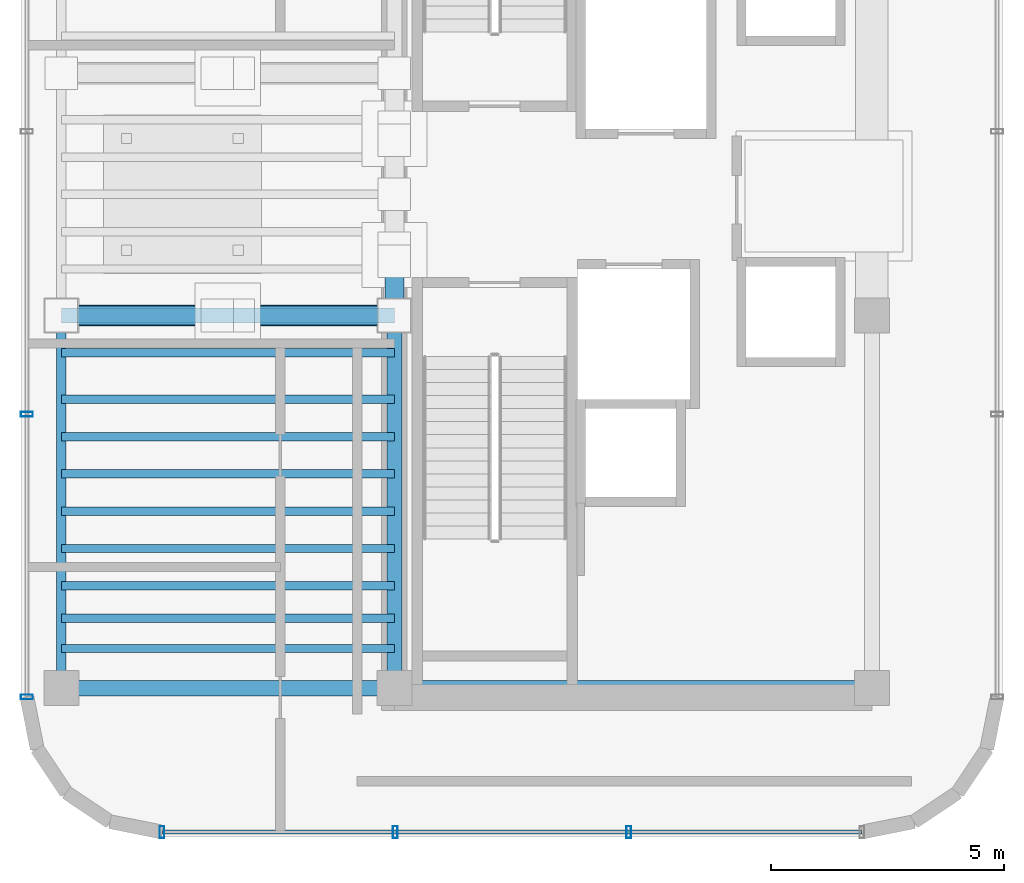
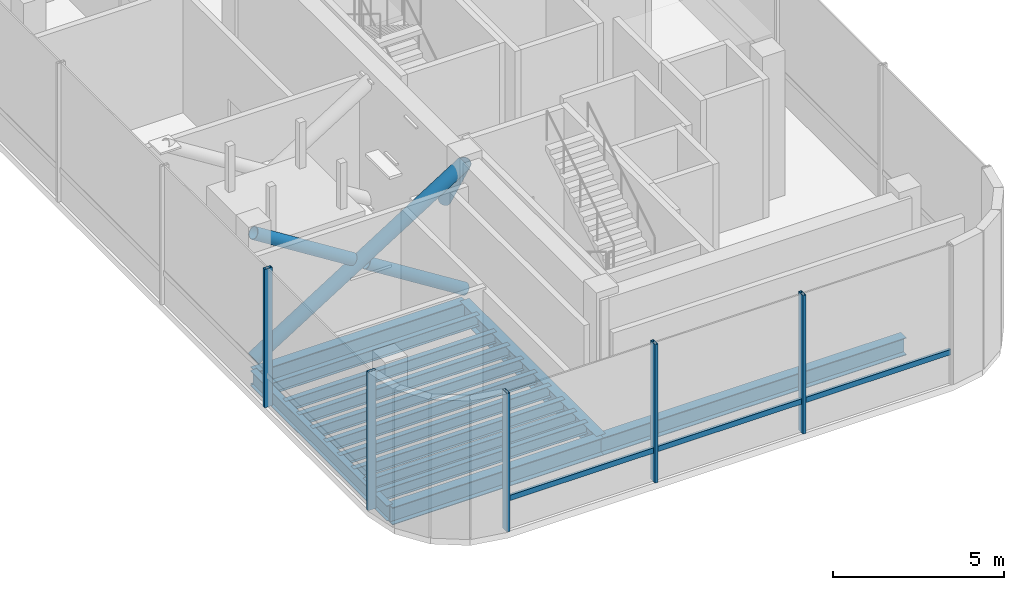
# One storey, part 2 of 13: 14 beams, 10 members, 2 elements without a shape of their own.
"""IFC4 building model written with IfcOpenShell, lengths in metres."""

from ifc_helpers import new_model, si_unit, direction, frame, origin, origin_2d, place, context, subcontext, project, spatial, hollow_rectangle, hollow_circle, i_section, extrude, source, transform, mapped, material, material_profile, profile_set, type_object, element, aggregate, save


model = new_model("IFC4")

# Units and contexts
model_context = context("Model", 3, precision=1e-05, world=origin(), true_north=direction((0.0, 1.0)))
body_context = subcontext(model_context, "Body", "Model", "MODEL_VIEW")
ifc_project = project(units=[si_unit("LENGTHUNIT", "METRE"), si_unit("AREAUNIT", "SQUARE_METRE"), si_unit("VOLUMEUNIT", "CUBIC_METRE"), si_unit("PLANEANGLEUNIT", "RADIAN"), si_unit("MASSUNIT", "GRAM", prefix="KILO")], contexts=[model_context])

# Site, building, storey
site_placement = place(None, origin())
site = spatial("IfcSite", under=ifc_project, at=site_placement, CompositionType="ELEMENT")
building_placement = place(site_placement, origin())
building = spatial("IfcBuilding", under=site, at=building_placement, Name="Valdorenza Pilgrim Sanctuary Tower", CompositionType="ELEMENT")
storey_placement = place(building_placement, frame((0.0, 0.0, 294.199951171875)))
storey = spatial("IfcBuildingStorey", under=building, at=storey_placement, Name="L77", CompositionType="ELEMENT", Elevation=294.199951171875)

# Beams
ifc_material_1 = material(Name="Steel ASTM A992 Grade 50", Category="steel")
ifc_material_profile_1 = material_profile(ifc_material_1, i_section(OverallWidth=0.323974609375, OverallDepth=0.611083984375, WebThickness=0.0126953125, FlangeThickness=0.01904296875, at=origin_2d()), Name="W24X104")
ifc_profile_set_1 = profile_set([ifc_material_profile_1], Name="Steel ASTM A992 Grade 50")
beam_type_1 = type_object("IfcBeamType", Name="STR-BM-GRD-W24B", PredefinedType="BEAM", material=ifc_profile_set_1)
shared_shape_1 = source(origin(), body_context, "Body", "SweptSolid", [
    extrude(i_section(OverallWidth=0.323974609375, OverallDepth=0.611083984375, WebThickness=0.0126953125, FlangeThickness=0.01904296875, at=origin_2d()), origin(), (0.0, 0.0, 1.0), 8.0),
])
beam_1_placement = place(storey_placement, frame((-22.64990234375, -10.60009765625, -0.54541015625), z_axis=(0.0, 1.0, 0.0), x_axis=(-1.0, 0.0, 0.0)))
element("IfcBeam", 1, at=beam_1_placement, inside=storey, type_object=beam_type_1, Name="L77 Core Tie Girder CA-W-S1M0", PredefinedType="BEAM", context=body_context, shape_type="MappedRepresentation", body=[
    mapped(shared_shape_1, transform((0.0, 0.0, 0.0), x_axis=(1.0, 0.0, 0.0), y_axis=(0.0, 1.0, 0.0), z_axis=(0.0, 0.0, 1.0), scale=1.0)),
])
ifc_material_profile_2 = material_profile(ifc_material_1, i_section(OverallWidth=0.2109375, OverallDepth=0.5390625, WebThickness=0.01171875, FlangeThickness=0.018798828125, at=origin_2d()), Name="W21X73")
ifc_profile_set_2 = profile_set([ifc_material_profile_2], Name="Steel ASTM A992 Grade 50")
beam_type_2 = type_object("IfcBeamType", Name="STR-BM-SPN-W21B", PredefinedType="SPANDREL", material=ifc_profile_set_2)
shared_shape_2 = source(origin(), body_context, "Body", "SweptSolid", [
    extrude(i_section(OverallWidth=0.2109375, OverallDepth=0.5390625, WebThickness=0.01171875, FlangeThickness=0.018798828125, at=origin_2d()), origin(), (0.0, 0.0, 1.0), 8.0),
])
beam_2_placement = place(storey_placement, frame((-29.800048828125, -10.60009765625, -0.509521484375), z_axis=(0.0, 1.0, 0.0), x_axis=(-1.0, 0.0, 0.0)))
element("IfcBeam", 2, at=beam_2_placement, inside=storey, type_object=beam_type_2, Name="L77 Spandrel Beam WA-W-S1M0", PredefinedType="SPANDREL", context=body_context, shape_type="MappedRepresentation", body=[
    mapped(shared_shape_2, transform((0.0, 0.0, 0.0), x_axis=(1.0, 0.0, 0.0), y_axis=(0.0, 1.0, 0.0), z_axis=(0.0, 0.0, 1.0), scale=1.0)),
])
ifc_material_profile_3 = material_profile(ifc_material_1, i_section(OverallWidth=0.177978515625, OverallDepth=0.406005859375, WebThickness=0.0078125, FlangeThickness=0.0126953125, at=origin_2d()), Name="W16X40")
ifc_profile_set_3 = profile_set([ifc_material_profile_3], Name="Steel ASTM A992 Grade 50")
beam_type_3 = type_object("IfcBeamType", Name="STR-BM-JST-W16", PredefinedType="JOIST", material=ifc_profile_set_3)
shared_shape_3 = source(origin(), body_context, "Body", "SweptSolid", [
    extrude(i_section(OverallWidth=0.177978515625, OverallDepth=0.406005859375, WebThickness=0.0078125, FlangeThickness=0.0126953125, at=origin_2d()), origin(), (0.0, 0.0, 1.0), 7.150146484375),
])
for number, where, z_axis, x_axis, name in (
    (3, (-29.800048828125, -9.75, -0.44287109375), (1.0, 0.0, 0.0), (0.0, 1.0, 0.0), "L77 Composite Floor Joist JST-WA-1"),
    (4, (-29.800048828125, -9.10009765625, -0.44287109375), (1.0, 0.0, 0.0), (0.0, 1.0, 0.0), "L77 Composite Floor Joist JST-WA-2"),
    (5, (-29.800048828125, -8.39990234375, -0.44287109375), (1.0, 0.0, 0.0), (0.0, 1.0, 0.0), "L77 Composite Floor Joist JST-WA-3"),
    (6, (-29.800048828125, -7.60009765625, -0.44287109375), (1.0, 0.0, 0.0), (0.0, 1.0, 0.0), "L77 Composite Floor Joist JST-WA-4"),
    (7, (-29.800048828125, -6.800048828125, -0.44287109375), (1.0, 0.0, 0.0), (0.0, 1.0, 0.0), "L77 Composite Floor Joist JST-WA-5"),
    (8, (-29.800048828125, -6.0, -0.44287109375), (1.0, 0.0, 0.0), (0.0, 1.0, 0.0), "L77 Composite Floor Joist JST-WA-6"),
    (9, (-29.800048828125, -5.199951171875, -0.44287109375), (1.0, 0.0, 0.0), (0.0, 1.0, 0.0), "L77 Composite Floor Joist JST-WA-7"),
    (10, (-29.800048828125, -4.39990234375, -0.44287109375), (1.0, 0.0, 0.0), (0.0, 1.0, 0.0), "L77 Composite Floor Joist JST-WA-8"),
    (11, (-29.800048828125, -3.39990234375, -0.44287109375), (1.0, 0.0, 0.0), (0.0, 1.0, 0.0), "L77 Composite Floor Joist JST-WA-9"),
):
    element("IfcBeam", number, at=place(storey_placement, frame(where, z_axis=z_axis, x_axis=x_axis)), inside=storey, type_object=beam_type_3, Name=name, PredefinedType="JOIST", context=body_context, shape_type="MappedRepresentation", body=[
        mapped(shared_shape_3, transform((0.0, 0.0, 0.0), x_axis=(1.0, 0.0, 0.0), y_axis=(0.0, 1.0, 0.0), z_axis=(0.0, 0.0, 1.0), scale=1.0)),
    ])
ifc_material_profile_4 = material_profile(ifc_material_1, i_section(OverallWidth=0.326904296875, OverallDepth=0.6220703125, WebThickness=0.015380859375, FlangeThickness=0.0244140625, at=origin_2d()), Name="W24X131")
ifc_profile_set_4 = profile_set([ifc_material_profile_4], Name="Steel ASTM A992 Grade 50")
beam_type_4 = type_object("IfcBeamType", Name="STR-BM-GRD-W24A", PredefinedType="BEAM", material=ifc_profile_set_4)
shared_shape_4 = source(origin(), body_context, "Body", "SweptSolid", [
    extrude(i_section(OverallWidth=0.326904296875, OverallDepth=0.6220703125, WebThickness=0.015380859375, FlangeThickness=0.0244140625, at=origin_2d()), origin(), (0.0, 0.0, 1.0), 7.150146484375),
])
for number, where, z_axis, x_axis, name in (
    (12, (-29.800048828125, -10.60009765625, -0.551025390625), (1.0, 0.0, 0.0), (0.0, 1.0, 0.0), "L77 Floor Girder WA-XW-S1"),
    (13, (-29.800048828125, -2.60009765625, -0.551025390625), (1.0, 0.0, 0.0), (0.0, 1.0, 0.0), "L77 Floor Girder WA-XW-M0"),
):
    element("IfcBeam", number, at=place(storey_placement, frame(where, z_axis=z_axis, x_axis=x_axis)), inside=storey, type_object=beam_type_4, Name=name, PredefinedType="BEAM", context=body_context, shape_type="MappedRepresentation", body=[
        mapped(shared_shape_4, transform((0.0, 0.0, 0.0), x_axis=(1.0, 0.0, 0.0), y_axis=(0.0, 1.0, 0.0), z_axis=(0.0, 0.0, 1.0), scale=1.0)),
    ])
shared_shape_5 = source(origin(), body_context, "Body", "SweptSolid", [
    extrude(i_section(OverallWidth=0.326904296875, OverallDepth=0.6220703125, WebThickness=0.015380859375, FlangeThickness=0.0244140625, at=origin_2d()), origin(), (0.0, 0.0, 1.0), 10.25),
])
beam_3_placement = place(storey_placement, frame((-22.64990234375, -10.60009765625, -0.551025390625), z_axis=(1.0, 0.0, 0.0), x_axis=(0.0, 1.0, 0.0)))
element("IfcBeam", 14, at=beam_3_placement, inside=storey, type_object=beam_type_4, Name="L77 Floor Girder CA-XC-S1", PredefinedType="BEAM", context=body_context, shape_type="MappedRepresentation", body=[
    mapped(shared_shape_5, transform((0.0, 0.0, 0.0), x_axis=(1.0, 0.0, 0.0), y_axis=(0.0, 1.0, 0.0), z_axis=(0.0, 0.0, 1.0), scale=1.0)),
])

# Members
ifc_material_2 = material(Name="Steel S355J2", Category="steel")
ifc_material_profile_5 = material_profile(ifc_material_2, hollow_circle(Radius=0.228515625, WallThickness=0.01611328125, at=origin_2d()), Name="CHS 457x16")
ifc_profile_set_5 = profile_set([ifc_material_profile_5], Name="Steel S355J2")
member_type_1 = type_object("IfcMemberType", Name="STR-MB-CHS-457", PredefinedType="MEMBER", material=ifc_profile_set_5)
shared_shape_6 = source(origin(), body_context, "Body", "SweptSolid", [
    extrude(hollow_circle(Radius=0.228515625, WallThickness=0.01611328125, at=origin_2d()), origin(), (0.0, 0.0, 1.0), 8.4482421875),
])
member_1_placement = place(storey_placement, frame((-29.800048828125, -2.60009765625, 0.150146484375), z_axis=(0.846336578757, 0.0, 0.532648472689), x_axis=(0.0, 1.0, 0.0)))
element("IfcMember", 15, at=member_1_placement, inside=storey, type_object=member_type_1, Name="Tuned Mass Damper TMD-1 Cradle Brace 1", PredefinedType="MEMBER", context=body_context, shape_type="MappedRepresentation", body=[
    mapped(shared_shape_6, transform((0.0, 0.0, 0.0), x_axis=(1.0, 0.0, 0.0), y_axis=(0.0, 1.0, 0.0), z_axis=(0.0, 0.0, 1.0), scale=1.0)),
])
ifc_material_profile_6 = material_profile(ifc_material_2, hollow_circle(Radius=0.203125, WallThickness=0.01611328125, at=origin_2d()), Name="CHS 406.4x16")
ifc_profile_set_6 = profile_set([ifc_material_profile_6], Name="Steel S355J2")
member_type_2 = type_object("IfcMemberType", Name="STR-MB-CHS-406", PredefinedType="STRUT", material=ifc_profile_set_6)
shared_shape_7 = source(origin(), body_context, "Body", "SweptSolid", [
    extrude(hollow_circle(Radius=0.203125, WallThickness=0.01611328125, at=origin_2d()), origin(), (0.0, 0.0, 1.0), 3.958740234375),
])
for number, where, z_axis, x_axis, name in (
    (16, (-22.64990234375, -2.60009765625, 0.150146484375), (-0.846372873095, 0.0, 0.532590799479), (0.0, -1.0, 0.0), "Tuned Mass Damper TMD-1 Damping Strut 1 Lower Segment"),
    (17, (-26.44970703125, -2.60009765625, 2.54150390625), (-0.846327576531, 0.0, 0.532662776251), (0.0, -1.0, 0.0), "Tuned Mass Damper TMD-1 Damping Strut 1 Upper Segment"),
):
    element("IfcMember", number, at=place(storey_placement, frame(where, z_axis=z_axis, x_axis=x_axis)), inside=storey, type_object=member_type_2, Name=name, PredefinedType="STRUT", context=body_context, shape_type="MappedRepresentation", body=[
        mapped(shared_shape_7, transform((0.0, 0.0, 0.0), x_axis=(1.0, 0.0, 0.0), y_axis=(0.0, 1.0, 0.0), z_axis=(0.0, 0.0, 1.0), scale=1.0)),
    ])
shared_shape_8 = source(origin(), body_context, "Body", "SweptSolid", [
    extrude(hollow_circle(Radius=0.203125, WallThickness=0.01611328125, at=origin_2d()), origin(), (0.0, 0.0, 1.0), 2.32275390625),
])
member_2_placement = place(storey_placement, frame((-22.64990234375, -1.43798828125, 2.638916015625), z_axis=(0.0, -0.500298610895, 0.865852932048), x_axis=(1.0, 0.0, 0.0)))
element("IfcMember", 18, at=member_2_placement, inside=storey, type_object=member_type_2, Name="Tuned Mass Damper TMD-1 Damping Strut 3 Upper Segment", PredefinedType="STRUT", context=body_context, shape_type="MappedRepresentation", body=[
    mapped(shared_shape_8, transform((0.0, 0.0, 0.0), x_axis=(1.0, 0.0, 0.0), y_axis=(0.0, 1.0, 0.0), z_axis=(0.0, 0.0, 1.0), scale=1.0)),
])

# Curtain wall, members
ifc_material_3 = material(Name="Curtain-wall IGU glazing", Category="glass")
curtain_wall_type = type_object("IfcCurtainWallType", Name="CW-SYS-06", PredefinedType="NOTDEFINED", material=ifc_material_3)
curtain_wall_1_placement = place(storey_placement, origin())
curtain_wall_1 = element("IfcCurtainWall", 19, at=curtain_wall_1_placement, inside=storey, type_object=curtain_wall_type, Name="L77 Curtain Wall CW-L77-1-1", PredefinedType="NOTDEFINED")
ifc_material_4 = material(Name="Anodised aluminium AW-6060", Category="aluminium")
ifc_material_profile_7 = material_profile(ifc_material_4, hollow_rectangle(XDim=0.10009765625, YDim=0.260009765625, WallThickness=0.006103515625, at=origin_2d()), Name="ALU-M 260x100x6")
ifc_profile_set_7 = profile_set([ifc_material_profile_7], Name="Anodised aluminium AW-6060")
member_type_3 = type_object("IfcMemberType", Name="CW-MUL-06", PredefinedType="MULLION", material=ifc_profile_set_7)
shared_shape_9 = source(origin(), body_context, "Body", "SweptSolid", [
    extrude(hollow_rectangle(XDim=0.10009765625, YDim=0.260009765625, WallThickness=0.006103515625, at=origin_2d()), origin(), (0.0, 0.0, 1.0), 4.9599609375),
])
member_3_placement = place(storey_placement, frame((-30.5400390625, -10.789306640625, 0.0), z_axis=(0.0, 0.0, 1.0), x_axis=(0.0, 1.0, 0.0)))
member_3 = element("IfcMember", 20, at=member_3_placement, type_object=member_type_3, Name="CW-L77-1-1 Mullion 1", PredefinedType="MULLION", context=body_context, shape_type="MappedRepresentation", body=[
    mapped(shared_shape_9, transform((0.0, 0.0, 0.0), x_axis=(1.0, 0.0, 0.0), y_axis=(0.0, 1.0, 0.0), z_axis=(0.0, 0.0, 1.0), scale=1.0)),
])
member_4_placement = place(storey_placement, frame((-30.5400390625, -4.719482421875, 0.0), z_axis=(0.0, 0.0, 1.0), x_axis=(0.0, 1.0, 0.0)))
member_4 = element("IfcMember", 21, at=member_4_placement, type_object=member_type_3, Name="CW-L77-1-1 Mullion 2", PredefinedType="MULLION", context=body_context, shape_type="MappedRepresentation", body=[
    mapped(shared_shape_9, transform((0.0, 0.0, 0.0), x_axis=(1.0, 0.0, 0.0), y_axis=(0.0, 1.0, 0.0), z_axis=(0.0, 0.0, 1.0), scale=1.0)),
])
aggregate(curtain_wall_1, [member_3, member_4])

curtain_wall_2_placement = place(storey_placement, origin())
curtain_wall_2 = element("IfcCurtainWall", 22, at=curtain_wall_2_placement, inside=storey, type_object=curtain_wall_type, Name="L77 Curtain Wall CW-L77-1-16", PredefinedType="NOTDEFINED")
member_5_placement = place(storey_placement, frame((-17.620361328125, -13.68994140625, 0.0), z_axis=(0.0, 0.0, 1.0), x_axis=(-1.0, 0.0, 0.0)))
member_5 = element("IfcMember", 23, at=member_5_placement, type_object=member_type_3, Name="CW-L77-1-16 Mullion 2", PredefinedType="MULLION", context=body_context, shape_type="MappedRepresentation", body=[
    mapped(shared_shape_9, transform((0.0, 0.0, 0.0), x_axis=(1.0, 0.0, 0.0), y_axis=(0.0, 1.0, 0.0), z_axis=(0.0, 0.0, 1.0), scale=1.0)),
])
member_6_placement = place(storey_placement, frame((-22.629638671875, -13.68994140625, 0.0), z_axis=(0.0, 0.0, 1.0), x_axis=(-1.0, 0.0, 0.0)))
member_6 = element("IfcMember", 24, at=member_6_placement, type_object=member_type_3, Name="CW-L77-1-16 Mullion 3", PredefinedType="MULLION", context=body_context, shape_type="MappedRepresentation", body=[
    mapped(shared_shape_9, transform((0.0, 0.0, 0.0), x_axis=(1.0, 0.0, 0.0), y_axis=(0.0, 1.0, 0.0), z_axis=(0.0, 0.0, 1.0), scale=1.0)),
])
member_7_placement = place(storey_placement, frame((-27.63916015625, -13.68994140625, 0.0), z_axis=(0.0, 0.0, 1.0), x_axis=(-1.0, 0.0, 0.0)))
member_7 = element("IfcMember", 25, at=member_7_placement, type_object=member_type_3, Name="CW-L77-1-16 Mullion 4", PredefinedType="MULLION", context=body_context, shape_type="MappedRepresentation", body=[
    mapped(shared_shape_9, transform((0.0, 0.0, 0.0), x_axis=(1.0, 0.0, 0.0), y_axis=(0.0, 1.0, 0.0), z_axis=(0.0, 0.0, 1.0), scale=1.0)),
])
ifc_material_profile_8 = material_profile(ifc_material_4, hollow_rectangle(XDim=0.090087890625, YDim=0.18994140625, WallThickness=0.00439453125, at=origin_2d()), Name="ALU-T 190x90x4.5")
ifc_profile_set_8 = profile_set([ifc_material_profile_8], Name="Anodised aluminium AW-6060")
member_type_4 = type_object("IfcMemberType", Name="CW-TRN-06", PredefinedType="USERDEFINED", material=ifc_profile_set_8)
shared_shape_10 = source(origin(), body_context, "Body", "SweptSolid", [
    extrude(hollow_rectangle(XDim=0.090087890625, YDim=0.18994140625, WallThickness=0.00439453125, at=origin_2d()), origin(), (0.0, 0.0, 1.0), 15.0283203125),
])
member_8_placement = place(storey_placement, frame((-12.61083984375, -13.68994140625, 1.1201171875), z_axis=(-1.0, 0.0, 0.0), x_axis=(0.0, -1.0, 0.0)))
member_8 = element("IfcMember", 26, at=member_8_placement, type_object=member_type_4, Name="CW-L77-1-16 Transom 1", ObjectType="TRANSOM", PredefinedType="USERDEFINED", context=body_context, shape_type="MappedRepresentation", body=[
    mapped(shared_shape_10, transform((0.0, 0.0, 0.0), x_axis=(1.0, 0.0, 0.0), y_axis=(0.0, 1.0, 0.0), z_axis=(0.0, 0.0, 1.0), scale=1.0)),
])
aggregate(curtain_wall_2, [member_5, member_6, member_7, member_8])

save(model, "model.ifc")
